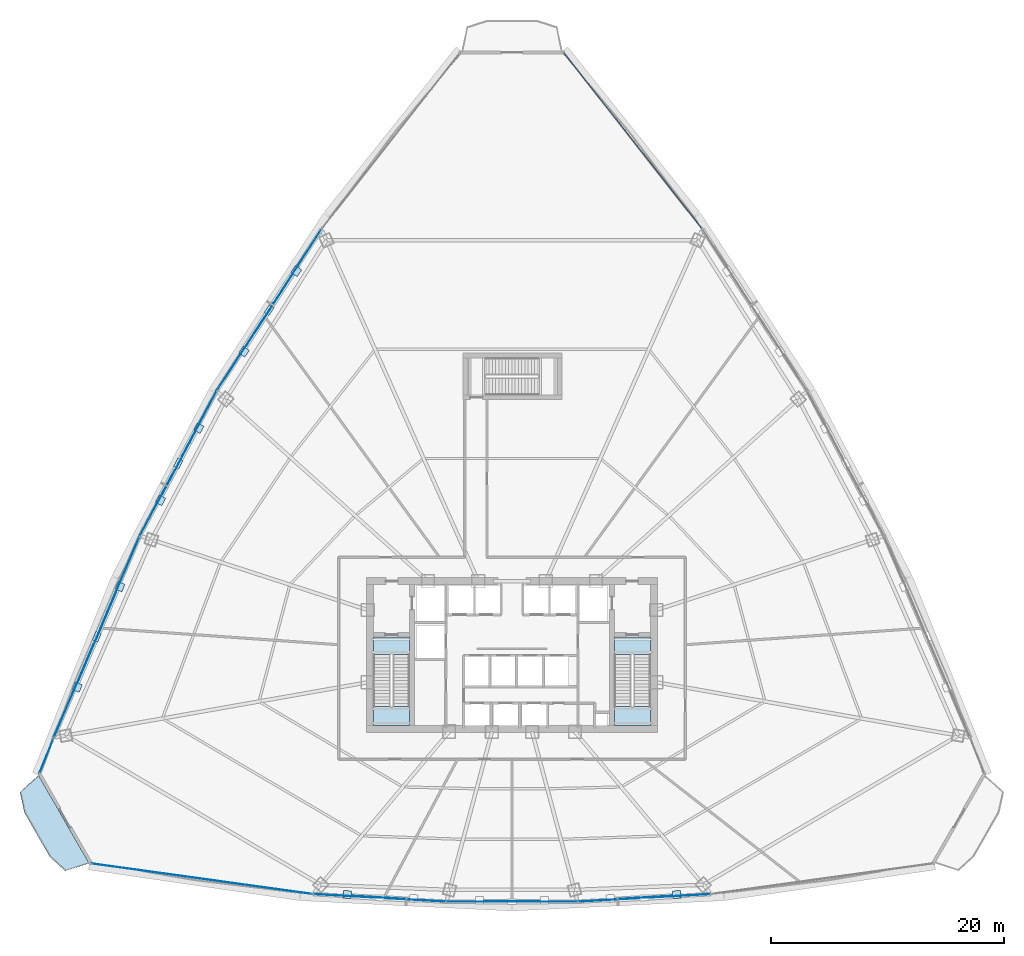
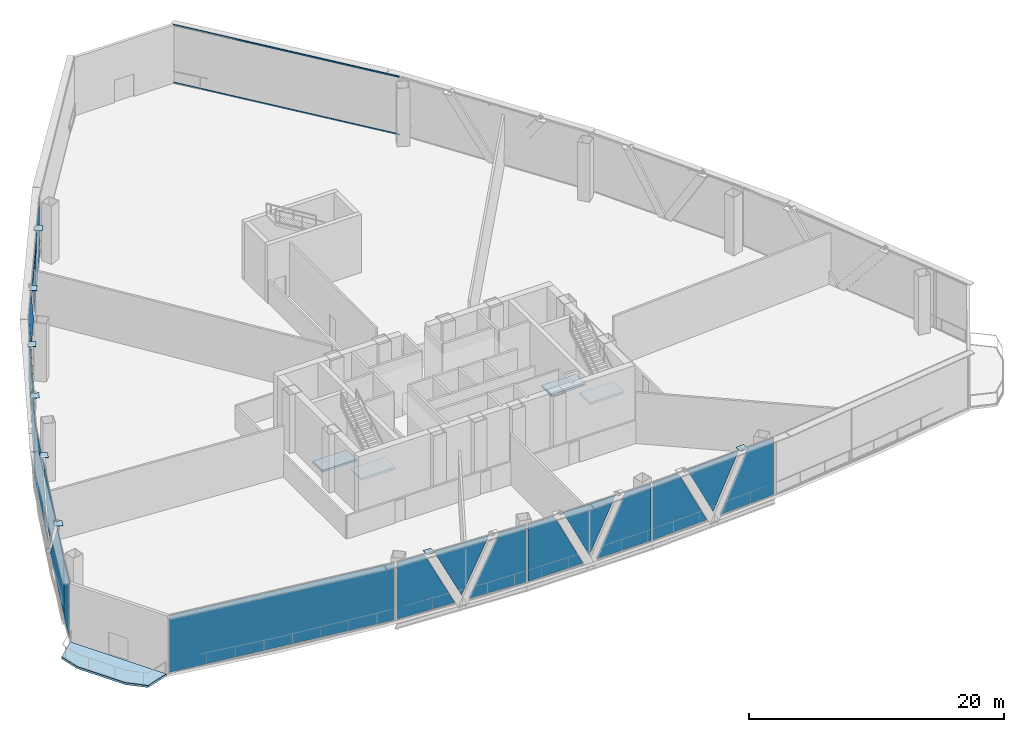
# One storey, part 26 of 36: 31 plates, 5 slabs, 2 members, 11 elements without a shape of their own.
"""IFC4 building model written with IfcOpenShell, lengths in metres."""

from ifc_helpers import new_model, si_unit, direction, frame, origin, origin_2d, place, context, subcontext, project, spatial, polyline, rectangle, hollow_rectangle, outline, extrude, source, transform, mapped, material, layer, layer_set, material_profile, profile_set, type_object, element, aggregate, save


model = new_model("IFC4")

# Units and contexts
model_context = context("Model", 3, precision=1e-05, world=origin(), true_north=direction((0.0, 1.0)))
body_context = subcontext(model_context, "Body", "Model", "MODEL_VIEW")
ifc_project = project(units=[si_unit("LENGTHUNIT", "METRE"), si_unit("AREAUNIT", "SQUARE_METRE"), si_unit("VOLUMEUNIT", "CUBIC_METRE"), si_unit("PLANEANGLEUNIT", "RADIAN"), si_unit("MASSUNIT", "GRAM", prefix="KILO"), si_unit("THERMODYNAMICTEMPERATUREUNIT", "KELVIN"), si_unit("POWERUNIT", "WATT")], contexts=[model_context])

# Site, building, storey
site_placement = place(None, origin())
site = spatial("IfcSite", under=ifc_project, at=site_placement, CompositionType="ELEMENT")
building_placement = place(site_placement, origin())
building = spatial("IfcBuilding", under=site, at=building_placement, Name="Yunzhuo Pagoda Commons", CompositionType="ELEMENT")
storey_placement = place(building_placement, frame((0.0, 0.0, 119.179931640625)))
storey = spatial("IfcBuildingStorey", under=building, at=storey_placement, Name="L30", CompositionType="ELEMENT", Elevation=119.179931640625)

# Curtain wall, members
ifc_material_1 = material(Name="Anodized aluminium 6063-T6", Category="aluminium")
ifc_layer_1 = layer(ifc_material_1, 0.1650390625)
ifc_layer_set_1 = layer_set([ifc_layer_1], Name="Anodized aluminium 6063-T6")
curtain_wall_type = type_object("IfcCurtainWallType", Name="CW-LOW Low-Zone Ribbon Curtain Wall", PredefinedType="NOTDEFINED", material=ifc_layer_set_1)
curtain_wall_1_placement = place(storey_placement, origin())
curtain_wall_1 = element("IfcCurtainWall", 1, at=curtain_wall_1_placement, inside=storey, type_object=curtain_wall_type, Name="L30 curtain wall CW-L30-F2B5", PredefinedType="NOTDEFINED")
ifc_material_profile = material_profile(ifc_material_1, hollow_rectangle(XDim=0.06005859375, YDim=0.139892578125, WallThickness=0.00341796875, at=origin_2d()), Name="Anodized aluminium 6063-T6")
ifc_profile_set = profile_set([ifc_material_profile], Name="Anodized aluminium 6063-T6")
member_type = type_object("IfcMemberType", Name="CW-LOW-T Transom RHS 140x60x3.5", PredefinedType="USERDEFINED", material=ifc_profile_set)
shared_shape_1 = source(origin(), body_context, "Body", "SweptSolid", [
    extrude(hollow_rectangle(XDim=0.06005859375, YDim=0.139892578125, WallThickness=0.00341796875, at=origin_2d()), origin(), (0.0, 0.0, 1.0), 19.1142578125),
])
member_1_placement = place(storey_placement, frame((64.281982421875, 70.574462890625, 0.030029296875), z_axis=(-0.617607174628, 0.786486730878, 0.0), x_axis=(-0.786486730878, -0.617607174628, 0.0)))
member_1 = element("IfcMember", 2, at=member_1_placement, type_object=member_type, Name="CW transom 1.1", ObjectType="TRANSOM", PredefinedType="USERDEFINED", context=body_context, shape_type="MappedRepresentation", body=[
    mapped(shared_shape_1, transform((0.0, 0.0, 0.0), scale=1.0)),
])
member_2_placement = place(storey_placement, frame((64.281982421875, 70.574462890625, 5.5400390625), z_axis=(-0.617607174628, 0.786486730878, 0.0), x_axis=(-0.786486730878, -0.617607174628, 0.0)))
member_2 = element("IfcMember", 3, at=member_2_placement, type_object=member_type, Name="CW transom 1.2", ObjectType="TRANSOM", PredefinedType="USERDEFINED", context=body_context, shape_type="MappedRepresentation", body=[
    mapped(shared_shape_1, transform((0.0, 0.0, 0.0), scale=1.0)),
])
aggregate(curtain_wall_1, [member_1, member_2])

# Curtain wall, plates
curtain_wall_2_placement = place(storey_placement, origin())
curtain_wall_2 = element("IfcCurtainWall", 4, at=curtain_wall_2_placement, inside=storey, type_object=curtain_wall_type, Name="L30 curtain wall CW-L30-F1B2", PredefinedType="NOTDEFINED")
ifc_material_2 = material(Name="Tempered low-e double glazing", Category="glass")
ifc_layer_2 = layer(ifc_material_2, 0.028076171875)
ifc_layer_set_2 = layer_set([ifc_layer_2], Name="Tempered low-e double glazing")
plate_type_1 = type_object("IfcPlateType", Name="CW-LOW-P Low-E Double Glazing 28", PredefinedType="CURTAIN_PANEL", material=ifc_layer_set_2)
plate_1_placement = place(storey_placement, frame((33.495361328125, 13.17333984375, 2.78515625), z_axis=(-0.056890920994, -0.998380400002, 0.0), x_axis=(0.998380400002, -0.056890920994, 0.0)))
plate_1 = element("IfcPlate", 5, at=plate_1_placement, type_object=plate_type_1, Name="CW panel 1.1 lite 1", PredefinedType="CURTAIN_PANEL", context=body_context, shape_type="SweptSolid", body=[
    extrude(outline(polyline([(-2.544921875, -2.72509765625), (2.544921875, -2.72509765625), (-0.13134765625, 2.72509765625), (-2.544921875, 2.72509765625), (-2.544921875, -2.72509765625)])), origin(), (0.0, 0.0, 1.0), 0.028076171875),
])
plate_2_placement = place(storey_placement, frame((36.62744140625, 13.02490234375, 3.046142578125), z_axis=(-0.056890920994, -0.998380400002, 0.0), x_axis=(0.998380400002, -0.056890920994, 0.0)))
plate_2 = element("IfcPlate", 6, at=plate_2_placement, type_object=plate_type_1, Name="CW panel 1.1 lite 2", PredefinedType="CURTAIN_PANEL", context=body_context, shape_type="SweptSolid", body=[
    extrude(outline(polyline([(-2.419921875, 2.4638671875), (0.0, -2.4638671875), (2.419921875, 2.4638671875), (-2.419921875, 2.4638671875)])), origin(), (0.0, 0.0, 1.0), 0.028076171875),
])
plate_3_placement = place(storey_placement, frame((39.755859375, 12.816650390625, 2.78515625), z_axis=(-0.056890920994, -0.998380400002, 0.0), x_axis=(0.998380400002, -0.056890920994, 0.0)))
plate_3 = element("IfcPlate", 7, at=plate_3_placement, type_object=plate_type_1, Name="CW panel 1.1 lite 3", PredefinedType="CURTAIN_PANEL", context=body_context, shape_type="SweptSolid", body=[
    extrude(outline(polyline([(-2.544921875, -2.72509765625), (2.544921875, -2.72509765625), (2.544921875, 2.72509765625), (0.131103515625, 2.72509765625), (-2.544921875, -2.72509765625)])), origin(), (0.0, 0.0, 1.0), 0.028076171875),
])
aggregate(curtain_wall_2, [plate_1, plate_2, plate_3])

curtain_wall_3_placement = place(storey_placement, origin())
curtain_wall_3 = element("IfcCurtainWall", 8, at=curtain_wall_3_placement, inside=storey, type_object=curtain_wall_type, Name="L30 curtain wall CW-L30-F1B3", PredefinedType="NOTDEFINED")
plate_4_placement = place(storey_placement, frame((44.920166015625, 12.66845703125, 2.78515625), z_axis=(0.0, -1.0, 0.0), x_axis=(1.0, 0.0, 0.0)))
plate_4 = element("IfcPlate", 9, at=plate_4_placement, type_object=plate_type_1, Name="CW panel 1.1 lite 1", PredefinedType="CURTAIN_PANEL", context=body_context, shape_type="SweptSolid", body=[
    extrude(outline(polyline([(-2.494384765625, -2.72509765625), (2.494384765625, -2.72509765625), (-0.132568359375, 2.72509765625), (-2.494384765625, 2.72509765625), (-2.494384765625, -2.72509765625)])), origin(), (0.0, 0.0, 1.0), 0.028076171875),
])
plate_5_placement = place(storey_placement, frame((48.0, 12.6982421875, 3.052734375), z_axis=(0.0, -1.0, 0.0), x_axis=(1.0, 0.0, 0.0)))
plate_5 = element("IfcPlate", 10, at=plate_5_placement, type_object=plate_type_1, Name="CW panel 1.1 lite 2", PredefinedType="CURTAIN_PANEL", context=body_context, shape_type="SweptSolid", body=[
    extrude(outline(polyline([(-2.368896484375, 2.45751953125), (0.0, -2.45751953125), (2.368896484375, 2.45751953125), (-2.368896484375, 2.45751953125)])), origin(), (0.0, 0.0, 1.0), 0.028076171875),
])
plate_6_placement = place(storey_placement, frame((51.079833984375, 12.66845703125, 2.78515625), z_axis=(0.0, -1.0, 0.0), x_axis=(1.0, 0.0, 0.0)))
plate_6 = element("IfcPlate", 11, at=plate_6_placement, type_object=plate_type_1, Name="CW panel 1.1 lite 3", PredefinedType="CURTAIN_PANEL", context=body_context, shape_type="SweptSolid", body=[
    extrude(outline(polyline([(-2.494384765625, -2.72509765625), (2.494384765625, -2.72509765625), (2.494384765625, 2.72509765625), (0.132568359375, 2.72509765625), (-2.494384765625, -2.72509765625)])), origin(), (0.0, 0.0, 1.0), 0.028076171875),
])
aggregate(curtain_wall_3, [plate_4, plate_5, plate_6])

curtain_wall_4_placement = place(storey_placement, origin())
curtain_wall_4 = element("IfcCurtainWall", 12, at=curtain_wall_4_placement, inside=storey, type_object=curtain_wall_type, Name="L30 curtain wall CW-L30-F1B4", PredefinedType="NOTDEFINED")
plate_7_placement = place(storey_placement, frame((56.244140625, 12.816650390625, 2.78515625), z_axis=(0.056890920994, -0.998380400002, 0.0), x_axis=(0.998380400002, 0.056890920994, 0.0)))
plate_7 = element("IfcPlate", 13, at=plate_7_placement, type_object=plate_type_1, Name="CW panel 1.1 lite 1", PredefinedType="CURTAIN_PANEL", context=body_context, shape_type="SweptSolid", body=[
    extrude(outline(polyline([(-2.544921875, -2.72509765625), (2.544921875, -2.72509765625), (-0.131103515625, 2.72509765625), (-2.544921875, 2.72509765625), (-2.544921875, -2.72509765625)])), origin(), (0.0, 0.0, 1.0), 0.028076171875),
])
plate_8_placement = place(storey_placement, frame((59.37255859375, 13.02490234375, 3.046142578125), z_axis=(0.056890920994, -0.998380400002, 0.0), x_axis=(0.998380400002, 0.056890920994, 0.0)))
plate_8 = element("IfcPlate", 14, at=plate_8_placement, type_object=plate_type_1, Name="CW panel 1.1 lite 2", PredefinedType="CURTAIN_PANEL", context=body_context, shape_type="SweptSolid", body=[
    extrude(outline(polyline([(-2.419921875, 2.4638671875), (0.0, -2.4638671875), (2.419921875, 2.4638671875), (-2.419921875, 2.4638671875)])), origin(), (0.0, 0.0, 1.0), 0.028076171875),
])
plate_9_placement = place(storey_placement, frame((62.504638671875, 13.17333984375, 2.78515625), z_axis=(0.056890920994, -0.998380400002, 0.0), x_axis=(0.998380400002, 0.056890920994, 0.0)))
plate_9 = element("IfcPlate", 15, at=plate_9_placement, type_object=plate_type_1, Name="CW panel 1.1 lite 3", PredefinedType="CURTAIN_PANEL", context=body_context, shape_type="SweptSolid", body=[
    extrude(outline(polyline([(-2.544921875, -2.72509765625), (2.544921875, -2.72509765625), (2.544921875, 2.72509765625), (0.13134765625, 2.72509765625), (-2.544921875, -2.72509765625)])), origin(), (0.0, 0.0, 1.0), 0.028076171875),
])
aggregate(curtain_wall_4, [plate_7, plate_8, plate_9])

curtain_wall_5_placement = place(storey_placement, origin())
curtain_wall_5 = element("IfcCurtainWall", 16, at=curtain_wall_5_placement, inside=storey, type_object=curtain_wall_type, Name="L30 curtain wall CW-L30-F3B2", PredefinedType="NOTDEFINED")
plate_10_placement = place(storey_placement, frame((29.56396484375, 67.24853515625, 2.78515625), z_axis=(-0.839174657882, 0.543862017031, 0.0), x_axis=(-0.543862017031, -0.839174657882, 0.0)))
plate_10 = element("IfcPlate", 17, at=plate_10_placement, type_object=plate_type_1, Name="CW panel 1.1 lite 1", PredefinedType="CURTAIN_PANEL", context=body_context, shape_type="SweptSolid", body=[
    extrude(outline(polyline([(-3.758056640625, -2.72509765625), (3.758056640625, -2.72509765625), (-0.1025390625, 2.72509765625), (-3.758056640625, 2.72509765625), (-3.758056640625, -2.72509765625)])), origin(), (0.0, 0.0, 1.0), 0.028076171875),
])
plate_11_placement = place(storey_placement, frame((27.1611328125, 63.48583984375, 2.94384765625), z_axis=(-0.839174657882, 0.543862017031, 0.0), x_axis=(-0.543862017031, -0.839174657882, 0.0)))
plate_11 = element("IfcPlate", 18, at=plate_11_placement, type_object=plate_type_1, Name="CW panel 1.1 lite 2", PredefinedType="CURTAIN_PANEL", context=body_context, shape_type="SweptSolid", body=[
    extrude(outline(polyline([(-3.635498046875, 2.56640625), (0.0, -2.56640625), (3.635498046875, 2.56640625), (-3.635498046875, 2.56640625)])), origin(), (0.0, 0.0, 1.0), 0.028076171875),
])
plate_12_placement = place(storey_placement, frame((24.7080078125, 59.755615234375, 2.78515625), z_axis=(-0.839174657882, 0.543862017031, 0.0), x_axis=(-0.543862017031, -0.839174657882, 0.0)))
plate_12 = element("IfcPlate", 19, at=plate_12_placement, type_object=plate_type_1, Name="CW panel 1.1 lite 3", PredefinedType="CURTAIN_PANEL", context=body_context, shape_type="SweptSolid", body=[
    extrude(outline(polyline([(-3.758056640625, -2.72509765625), (3.758056640625, -2.72509765625), (3.758056640625, 2.72509765625), (0.102294921875, 2.72509765625), (-3.758056640625, -2.72509765625)])), origin(), (0.0, 0.0, 1.0), 0.028076171875),
])
aggregate(curtain_wall_5, [plate_10, plate_11, plate_12])

curtain_wall_6_placement = place(storey_placement, origin())
curtain_wall_6 = element("IfcCurtainWall", 20, at=curtain_wall_6_placement, inside=storey, type_object=curtain_wall_type, Name="L30 curtain wall CW-L30-F3B3", PredefinedType="NOTDEFINED")
plate_13_placement = place(storey_placement, frame((21.114501953125, 53.69091796875, 2.78515625), z_axis=(-0.88351216431, 0.468408214613, 0.0), x_axis=(-0.468408214613, -0.88351216431, 0.0)))
plate_13 = element("IfcPlate", 21, at=plate_13_placement, type_object=plate_type_1, Name="CW panel 1.1 lite 1", PredefinedType="CURTAIN_PANEL", context=body_context, shape_type="SweptSolid", body=[
    extrude(outline(polyline([(-3.169189453125, -2.72509765625), (3.169189453125, -2.72509765625), (-0.11572265625, 2.72509765625), (-3.169189453125, 2.72509765625), (-3.169189453125, -2.72509765625)])), origin(), (0.0, 0.0, 1.0), 0.028076171875),
])
plate_14_placement = place(storey_placement, frame((19.352783203125, 50.3037109375, 2.983154296875), z_axis=(-0.88351216431, 0.468408214613, 0.0), x_axis=(-0.468408214613, -0.88351216431, 0.0)))
plate_14 = element("IfcPlate", 22, at=plate_14_placement, type_object=plate_type_1, Name="CW panel 1.1 lite 2", PredefinedType="CURTAIN_PANEL", context=body_context, shape_type="SweptSolid", body=[
    extrude(outline(polyline([(-3.046142578125, 2.52685546875), (0.0, -2.52685546875), (3.046142578125, 2.52685546875), (-3.046142578125, 2.52685546875)])), origin(), (0.0, 0.0, 1.0), 0.028076171875),
])
plate_15_placement = place(storey_placement, frame((17.537841796875, 46.94482421875, 2.78515625), z_axis=(-0.88351216431, 0.468408214613, 0.0), x_axis=(-0.468408214613, -0.88351216431, 0.0)))
plate_15 = element("IfcPlate", 23, at=plate_15_placement, type_object=plate_type_1, Name="CW panel 1.1 lite 3", PredefinedType="CURTAIN_PANEL", context=body_context, shape_type="SweptSolid", body=[
    extrude(outline(polyline([(-3.169189453125, -2.72509765625), (3.169189453125, -2.72509765625), (3.169189453125, 2.72509765625), (0.11572265625, 2.72509765625), (-3.169189453125, -2.72509765625)])), origin(), (0.0, 0.0, 1.0), 0.028076171875),
])
aggregate(curtain_wall_6, [plate_13, plate_14, plate_15])

curtain_wall_7_placement = place(storey_placement, origin())
curtain_wall_7 = element("IfcCurtainWall", 24, at=curtain_wall_7_placement, inside=storey, type_object=curtain_wall_type, Name="L30 curtain wall CW-L30-F3B4", PredefinedType="NOTDEFINED")
plate_16_placement = place(storey_placement, frame((14.31103515625, 40.073974609375, 2.78515625), z_axis=(-0.919788328925, 0.392414869716, 0.0), x_axis=(-0.392414869716, -0.919788328925, 0.0)))
plate_16 = element("IfcPlate", 25, at=plate_16_placement, type_object=plate_type_1, Name="CW panel 1.1 lite 1", PredefinedType="CURTAIN_PANEL", context=body_context, shape_type="SweptSolid", body=[
    extrude(outline(polyline([(-4.29931640625, -2.72509765625), (4.29931640625, -2.72509765625), (-0.09130859375, 2.72509765625), (-4.29931640625, 2.72509765625), (-4.29931640625, -2.72509765625)])), origin(), (0.0, 0.0, 1.0), 0.028076171875),
])
plate_17_placement = place(storey_placement, frame((12.3525390625, 35.4072265625, 2.91796875), z_axis=(-0.919788328925, 0.392414869716, 0.0), x_axis=(-0.392414869716, -0.919788328925, 0.0)))
plate_17 = element("IfcPlate", 26, at=plate_17_placement, type_object=plate_type_1, Name="CW panel 1.1 lite 2", PredefinedType="CURTAIN_PANEL", context=body_context, shape_type="SweptSolid", body=[
    extrude(outline(polyline([(-4.176513671875, 2.59228515625), (0.0, -2.592041015625), (4.176513671875, 2.59228515625), (-4.176513671875, 2.59228515625)])), origin(), (0.0, 0.0, 1.0), 0.028076171875),
])
plate_18_placement = place(storey_placement, frame((10.338623046875, 30.763671875, 2.78515625), z_axis=(-0.919788328925, 0.392414869716, 0.0), x_axis=(-0.392414869716, -0.919788328925, 0.0)))
plate_18 = element("IfcPlate", 27, at=plate_18_placement, type_object=plate_type_1, Name="CW panel 1.1 lite 3", PredefinedType="CURTAIN_PANEL", context=body_context, shape_type="SweptSolid", body=[
    extrude(outline(polyline([(-4.29931640625, -2.72509765625), (4.29931640625, -2.72509765625), (4.29931640625, 2.72509765625), (0.09130859375, 2.72509765625), (-4.29931640625, -2.72509765625)])), origin(), (0.0, 0.0, 1.0), 0.028076171875),
])
aggregate(curtain_wall_7, [plate_16, plate_17, plate_18])

# Slab
ifc_material_3 = material(Name="Concrete C40", Category="concrete")
ifc_layer_3 = layer(ifc_material_3, 0.199951171875)
ifc_layer_set_3 = layer_set([ifc_layer_3], Name="Concrete C40")
slab_type_1 = type_object("IfcSlabType", Name="SL-BAL Vertex Balcony Deck Slab 200", PredefinedType="FLOOR", material=ifc_layer_set_3)
slab_1_placement = place(storey_placement, frame((0.0, 0.0, -0.199951171875)))
element("IfcSlab", 28, at=slab_1_placement, inside=storey, type_object=slab_type_1, Name="L30 corner balcony V1", PredefinedType="FLOOR", context=body_context, shape_type="SweptSolid", body=[
    extrude(outline(polyline([(7.30517578125, 23.516357421875), (11.646484375, 15.954833984375), (9.605712890625, 15.302001953125), (8.267333984375, 16.5283203125), (6.0966796875, 20.30908203125), (5.71240234375, 22.0830078125), (7.30517578125, 23.516357421875)])), origin(), (0.0, 0.0, 1.0), 0.199951171875),
])

# Stair, slabs
stair_type_1 = type_object("IfcStairType", Name="ST-C1 Core Smokeproof Stair ST1", PredefinedType="HALF_TURN_STAIR", material=ifc_material_3)
stair_1_placement = place(storey_placement, origin())
stair_1 = element("IfcStair", 29, at=stair_1_placement, inside=storey, type_object=stair_type_1, Name="L30 Core smokeproof stair ST1", PredefinedType="HALF_TURN_STAIR")
ifc_layer_4 = layer(ifc_material_3, 0.199951171875)
ifc_layer_set_4 = layer_set([ifc_layer_4], Name="Concrete C40")
slab_type_2 = type_object("IfcSlabType", Name="SL-LND1 Stair Landing Slab 200", PredefinedType="LANDING", material=ifc_layer_set_4)
slab_2_placement = place(storey_placement, frame((0.0, 0.0, 2.72509765625)))
slab_2 = element("IfcSlab", 30, at=slab_2_placement, type_object=slab_type_2, Name="ST1 landing 1", PredefinedType="LANDING", context=body_context, shape_type="SweptSolid", body=[
    extrude(outline(polyline([(36.10009765625, 29.419921875), (36.10009765625, 27.800048828125), (39.199951171875, 27.800048828125), (39.199951171875, 29.419921875), (36.10009765625, 29.419921875)])), origin(), (0.0, 0.0, 1.0), 0.199951171875),
])
slab_3_placement = place(storey_placement, frame((0.0, 0.0, -0.199951171875)))
slab_3 = element("IfcSlab", 31, at=slab_3_placement, type_object=slab_type_2, Name="ST1 floor landing L30", PredefinedType="LANDING", context=body_context, shape_type="SweptSolid", body=[
    extrude(outline(polyline([(36.10009765625, 35.39990234375), (36.10009765625, 33.89990234375), (39.199951171875, 33.89990234375), (39.199951171875, 35.39990234375), (36.10009765625, 35.39990234375)])), origin(), (0.0, 0.0, 1.0), 0.199951171875),
])
aggregate(stair_1, [slab_2, slab_3])

stair_type_2 = type_object("IfcStairType", Name="ST-C2 Core Smokeproof Stair ST2", PredefinedType="HALF_TURN_STAIR", material=ifc_material_3)
stair_2_placement = place(storey_placement, origin())
stair_2 = element("IfcStair", 32, at=stair_2_placement, inside=storey, type_object=stair_type_2, Name="L30 Core smokeproof stair ST2", PredefinedType="HALF_TURN_STAIR")
ifc_layer_5 = layer(ifc_material_3, 0.201904296875)
ifc_layer_set_5 = layer_set([ifc_layer_5], Name="Concrete C40")
slab_type_3 = type_object("IfcSlabType", Name="SL-LND2 Stair Landing Slab 202", PredefinedType="LANDING", material=ifc_layer_set_5)
slab_4_placement = place(storey_placement, frame((0.0, 0.0, 2.72509765625)))
slab_4 = element("IfcSlab", 33, at=slab_4_placement, type_object=slab_type_3, Name="ST2 landing 1", PredefinedType="LANDING", context=body_context, shape_type="SweptSolid", body=[
    extrude(outline(polyline([(56.800048828125, 29.419921875), (56.800048828125, 27.800048828125), (59.89990234375, 27.800048828125), (59.89990234375, 29.419921875), (56.800048828125, 29.419921875)])), origin(), (0.0, 0.0, 1.0), 0.199951171875),
])
slab_5_placement = place(storey_placement, frame((0.0, 0.0, -0.199951171875)))
slab_5 = element("IfcSlab", 34, at=slab_5_placement, type_object=slab_type_3, Name="ST2 floor landing L30", PredefinedType="LANDING", context=body_context, shape_type="SweptSolid", body=[
    extrude(outline(polyline([(56.800048828125, 35.39990234375), (56.800048828125, 33.89990234375), (59.89990234375, 33.89990234375), (59.89990234375, 35.39990234375), (56.800048828125, 35.39990234375)])), origin(), (0.0, 0.0, 1.0), 0.199951171875),
])
aggregate(stair_2, [slab_4, slab_5])

# Plates
ifc_material_4 = material(Name="Structural steel Q355B", Category="steel")
ifc_layer_6 = layer(ifc_material_4, 0.028076171875)
ifc_layer_set_6 = layer_set([ifc_layer_6], Name="Structural steel Q355B")
plate_type_2 = type_object("IfcPlateType", Name="SP-ND1 Lattice Node Cap Plate 800x500x28", PredefinedType="USERDEFINED", material=ifc_layer_set_6)
shared_shape_2 = source(origin(), body_context, "Body", "SweptSolid", [
    extrude(rectangle(XDim=0.800048828125, YDim=0.5, at=origin_2d()), origin(), (0.0, 0.0, 1.0), 0.028076171875),
])
for number, where, z_axis, x_axis, name in (
    (35, (27.124267578125, 63.509521484375, -0.2939453125), (0.0, 0.0, 1.0), (-0.543863011284, -0.839174013514, 0.0), "L30 diamond node plate F3.1A"),
    (36, (19.313720703125, 50.324462890625, -0.2939453125), (0.0, 0.0, 1.0), (-0.468407908969, -0.883512326352, 0.0), "L30 diamond node plate F3.2A"),
    (37, (12.31201171875, 35.424560546875, -0.2939453125), (0.0, 0.0, 1.0), (-0.392417384678, -0.919787255947, 0.0), "L30 diamond node plate F3.3A"),
):
    element("IfcPlate", number, at=place(storey_placement, frame(where, z_axis=z_axis, x_axis=x_axis)), inside=storey, type_object=plate_type_2, Name=name, ObjectType="STIFFENER_PLATE", PredefinedType="USERDEFINED", context=body_context, shape_type="MappedRepresentation", body=[
        mapped(shared_shape_2, transform((0.0, 0.0, 0.0), scale=1.0)),
    ])
shared_shape_3 = source(origin(), body_context, "Body", "SweptSolid", [
    extrude(rectangle(XDim=0.699951171875, YDim=0.661376953125, at=origin_2d()), origin(), (0.0, 0.0, 1.0), 0.035888671875),
])
for number, where, z_axis, x_axis, name in (
    (38, (33.845458984375, 13.2724609375, 5.5322265625), (0.0, 0.0, 1.0), (0.998380767924, -0.056884463958, 0.0), "L30 setback lattice tie plate F1.1L"),
    (39, (62.154541015625, 13.2724609375, 5.5322265625), (0.0, 0.0, 1.0), (0.998380767924, 0.056884463958, 0.0), "L30 setback lattice tie plate F1.3R"),
):
    element("IfcPlate", number, at=place(storey_placement, frame(where, z_axis=z_axis, x_axis=x_axis)), inside=storey, type_object=plate_type_2, Name=name, ObjectType="STIFFENER_PLATE", PredefinedType="USERDEFINED", context=body_context, shape_type="MappedRepresentation", body=[
        mapped(shared_shape_3, transform((0.0, 0.0, 0.0), scale=1.0)),
    ])
shared_shape_4 = source(origin(), body_context, "Body", "SweptSolid", [
    extrude(rectangle(XDim=0.699951171875, YDim=0.672119140625, at=origin_2d()), origin(), (0.0, 0.0, 1.0), 0.035888671875),
])
plate_19_placement = place(storey_placement, frame((10.623291015625, 31.101318359375, 5.5322265625), z_axis=(0.0, 0.0, 1.0), x_axis=(-0.392417384678, -0.919787255947, 0.0)))
element("IfcPlate", 40, at=plate_19_placement, inside=storey, type_object=plate_type_2, Name="L30 setback lattice tie plate F3.3R", ObjectType="STIFFENER_PLATE", PredefinedType="USERDEFINED", context=body_context, shape_type="MappedRepresentation", body=[
    mapped(shared_shape_4, transform((0.0, 0.0, 0.0), scale=1.0)),
])
shared_shape_5 = source(origin(), body_context, "Body", "SweptSolid", [
    extrude(rectangle(XDim=0.699951171875, YDim=0.627685546875, at=origin_2d()), origin(), (0.0, 0.0, 1.0), 0.035888671875),
])
plate_20_placement = place(storey_placement, frame((17.789306640625, 47.15283203125, 5.5322265625), z_axis=(0.0, 0.0, 1.0), x_axis=(-0.468407908969, -0.883512326352, 0.0)))
element("IfcPlate", 41, at=plate_20_placement, inside=storey, type_object=plate_type_2, Name="L30 setback lattice tie plate F3.2R", ObjectType="STIFFENER_PLATE", PredefinedType="USERDEFINED", context=body_context, shape_type="MappedRepresentation", body=[
    mapped(shared_shape_5, transform((0.0, 0.0, 0.0), scale=1.0)),
])
shared_shape_6 = source(origin(), body_context, "Body", "SweptSolid", [
    extrude(rectangle(XDim=0.699951171875, YDim=0.627197265625, at=origin_2d()), origin(), (0.0, 0.0, 1.0), 0.035888671875),
])
plate_21_placement = place(storey_placement, frame((21.077392578125, 53.358154296875, 5.5322265625), z_axis=(0.0, 0.0, 1.0), x_axis=(-0.468407908969, -0.883512326352, 0.0)))
element("IfcPlate", 42, at=plate_21_placement, inside=storey, type_object=plate_type_2, Name="L30 setback lattice tie plate F3.2L", ObjectType="STIFFENER_PLATE", PredefinedType="USERDEFINED", context=body_context, shape_type="MappedRepresentation", body=[
    mapped(shared_shape_6, transform((0.0, 0.0, 0.0), scale=1.0)),
])
shared_shape_7 = source(origin(), body_context, "Body", "SweptSolid", [
    extrude(rectangle(XDim=0.699951171875, YDim=0.63818359375, at=origin_2d()), origin(), (0.0, 0.0, 1.0), 0.035888671875),
])
plate_22_placement = place(storey_placement, frame((24.9658203125, 59.924072265625, 5.5322265625), z_axis=(0.0, 0.0, 1.0), x_axis=(-0.543863011284, -0.839174013514, 0.0)))
element("IfcPlate", 43, at=plate_22_placement, inside=storey, type_object=plate_type_2, Name="L30 setback lattice tie plate F3.1R", ObjectType="STIFFENER_PLATE", PredefinedType="USERDEFINED", context=body_context, shape_type="MappedRepresentation", body=[
    mapped(shared_shape_7, transform((0.0, 0.0, 0.0), scale=1.0)),
])
shared_shape_8 = source(origin(), body_context, "Body", "SweptSolid", [
    extrude(rectangle(XDim=0.699951171875, YDim=0.662353515625, at=origin_2d()), origin(), (0.0, 0.0, 1.0), 0.035888671875),
])
plate_23_placement = place(storey_placement, frame((29.4541015625, 66.8505859375, 5.5322265625), z_axis=(0.0, 0.0, 1.0), x_axis=(-0.543863011284, -0.839174013514, 0.0)))
element("IfcPlate", 44, at=plate_23_placement, inside=storey, type_object=plate_type_2, Name="L30 setback lattice tie plate F3.1L", ObjectType="STIFFENER_PLATE", PredefinedType="USERDEFINED", context=body_context, shape_type="MappedRepresentation", body=[
    mapped(shared_shape_8, transform((0.0, 0.0, 0.0), scale=1.0)),
])
shared_shape_9 = source(origin(), body_context, "Body", "SweptSolid", [
    extrude(rectangle(XDim=0.699951171875, YDim=0.640869140625, at=origin_2d()), origin(), (0.0, 0.0, 1.0), 0.035888671875),
])
plate_24_placement = place(storey_placement, frame((14.304443359375, 39.73388671875, 5.5322265625), z_axis=(0.0, 0.0, 1.0), x_axis=(-0.392417384678, -0.919787255947, 0.0)))
element("IfcPlate", 45, at=plate_24_placement, inside=storey, type_object=plate_type_2, Name="L30 setback lattice tie plate F3.3L", ObjectType="STIFFENER_PLATE", PredefinedType="USERDEFINED", context=body_context, shape_type="MappedRepresentation", body=[
    mapped(shared_shape_9, transform((0.0, 0.0, 0.0), scale=1.0)),
])

# Curtain wall, plate
curtain_wall_8_placement = place(storey_placement, origin())
curtain_wall_8 = element("IfcCurtainWall", 46, at=curtain_wall_8_placement, inside=storey, type_object=curtain_wall_type, Name="L30 curtain wall CW-L30-F1B1", PredefinedType="NOTDEFINED")
shared_shape_10 = source(origin(), body_context, "Body", "SweptSolid", [
    extrude(rectangle(XDim=19.0537109375, YDim=0.028076171875, at=origin_2d()), origin(), (0.0, 0.0, 1.0), 5.449951171875),
])
plate_25_placement = place(storey_placement, frame((21.312744140625, 14.62890625, 0.06005859375), z_axis=(0.0, 0.0, 1.0), x_axis=(0.990618404067, -0.13665715321, 0.0)))
plate_25 = element("IfcPlate", 47, at=plate_25_placement, type_object=plate_type_1, Name="CW panel 1.1", PredefinedType="CURTAIN_PANEL", context=body_context, shape_type="MappedRepresentation", body=[
    mapped(shared_shape_10, transform((0.0, 0.0, 0.0), scale=1.0)),
])
aggregate(curtain_wall_8, [plate_25])

curtain_wall_9_placement = place(storey_placement, origin())
curtain_wall_9 = element("IfcCurtainWall", 48, at=curtain_wall_9_placement, inside=storey, type_object=curtain_wall_type, Name="L30 curtain wall CW-L30-F3B5", PredefinedType="NOTDEFINED")
shared_shape_11 = source(origin(), body_context, "Body", "SweptSolid", [
    extrude(rectangle(XDim=3.123046875, YDim=0.028076171875, at=origin_2d()), origin(), (0.0, 0.0, 1.0), 5.449951171875),
])
plate_26_placement = place(storey_placement, frame((7.97998046875, 25.17578125, 0.06005859375), z_axis=(0.0, 0.0, 1.0), x_axis=(-0.372106062932, -0.928190216459, 0.0)))
plate_26 = element("IfcPlate", 49, at=plate_26_placement, type_object=plate_type_1, Name="CW panel 1.1", PredefinedType="CURTAIN_PANEL", context=body_context, shape_type="MappedRepresentation", body=[
    mapped(shared_shape_11, transform((0.0, 0.0, 0.0), scale=1.0)),
])
aggregate(curtain_wall_9, [plate_26])

save(model, "model.ifc")
